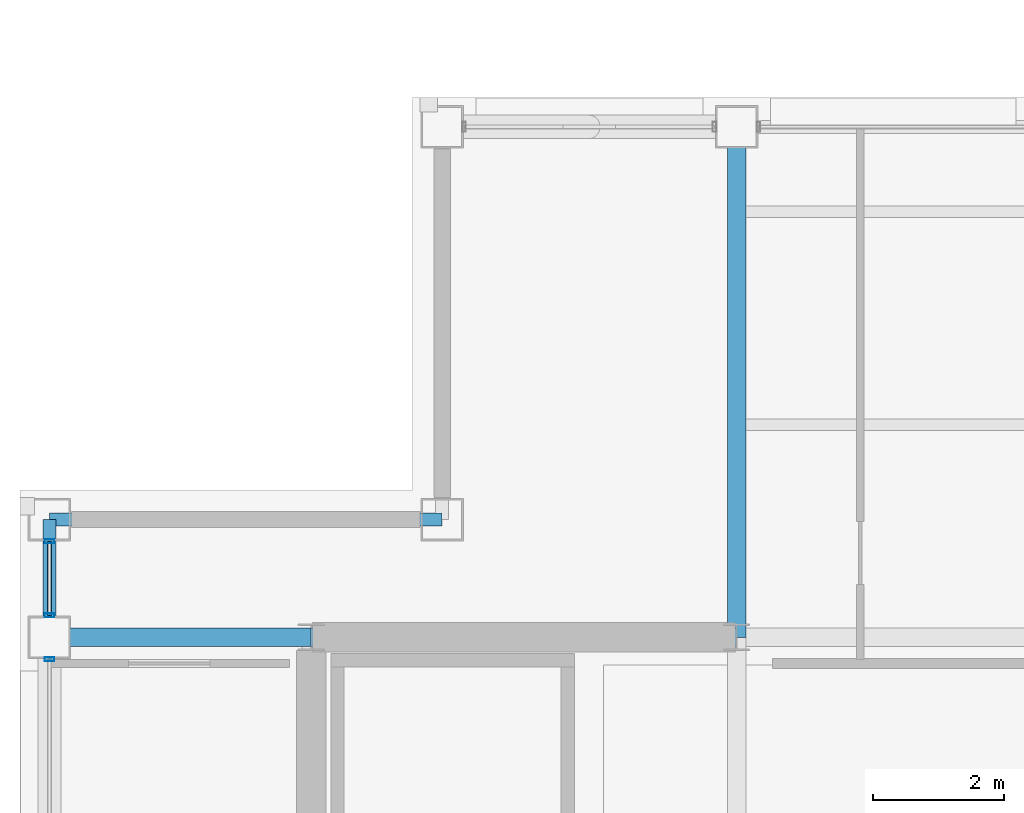
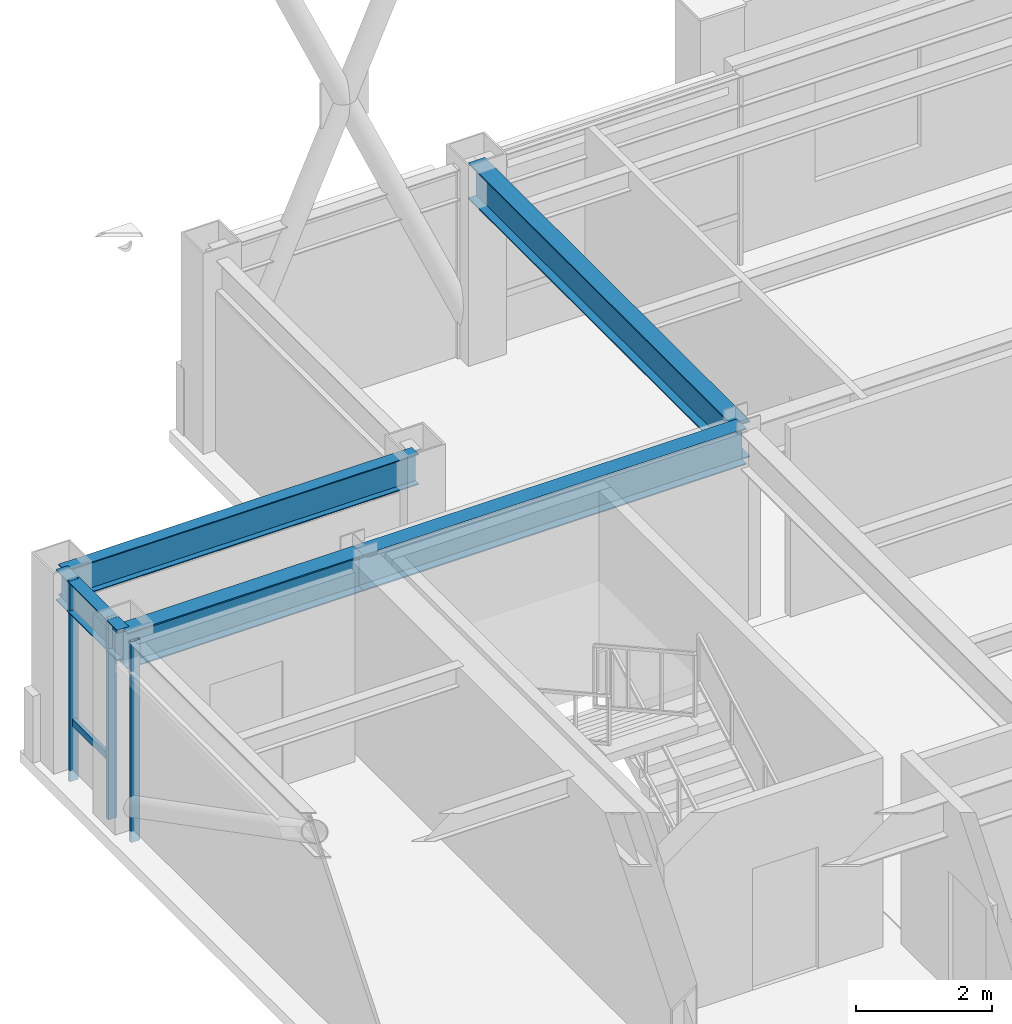
# One storey, part 12 of 28: 5 beams, 4 members, 2 elements without a shape of their own.
"""IFC4 building model written with IfcOpenShell, lengths in metres."""

from ifc_helpers import new_model, si_unit, direction, frame, origin, origin_2d, place, context, subcontext, project, spatial, hollow_rectangle, i_section, extrude, material, layer, layer_set, material_profile, profile_set, type_object, element, aggregate, save


model = new_model("IFC4")

# Units and contexts
model_context = context("Model", 3, precision=1e-05, world=origin(), true_north=direction((0.0, 1.0)))
body_context = subcontext(model_context, "Body", "Model", "MODEL_VIEW")
ifc_project = project(units=[si_unit("LENGTHUNIT", "METRE"), si_unit("AREAUNIT", "SQUARE_METRE"), si_unit("VOLUMEUNIT", "CUBIC_METRE"), si_unit("PLANEANGLEUNIT", "RADIAN"), si_unit("MASSUNIT", "GRAM", prefix="KILO")], contexts=[model_context])

# Site, building, storey
site_placement = place(None, origin())
site = spatial("IfcSite", under=ifc_project, at=site_placement, CompositionType="ELEMENT")
building_placement = place(site_placement, origin())
building = spatial("IfcBuilding", under=site, at=building_placement, Name="Brelmoor Portico Tower", CompositionType="ELEMENT")
storey_placement = place(building_placement, frame((0.0, 0.0, 225.60009765625)))
storey = spatial("IfcBuildingStorey", under=building, at=storey_placement, Name="L59", CompositionType="ELEMENT", Elevation=225.60009765625)

# Beams
ifc_material_1 = material(Name="Steel Q355B", Category="steel")
ifc_material_profile_1 = material_profile(ifc_material_1, i_section(OverallWidth=0.280029296875, OverallDepth=0.64990234375, WebThickness=0.012939453125, FlangeThickness=0.02197265625, at=origin_2d()), Name="HN 650x280x13x22")
ifc_profile_set_1 = profile_set([ifc_material_profile_1], Name="Steel Q355B")
beam_type_1 = type_object("IfcBeamType", Name="BM-PG-650", PredefinedType="BEAM", material=ifc_profile_set_1)
beam_1_placement = place(storey_placement, frame((-8.050048828125, 9.75, 3.074951171875), z_axis=(0.0, 1.0, 0.0), x_axis=(-1.0, 0.0, 0.0)))
element("IfcBeam", 1, at=beam_1_placement, inside=storey, type_object=beam_type_1, Name="L59 Primary Floor Girder PG-05", PredefinedType="BEAM", context=body_context, shape_type="SweptSolid", body=[
    extrude(i_section(OverallWidth=0.280029296875, OverallDepth=0.64990234375, WebThickness=0.012939453125, FlangeThickness=0.02197265625, at=origin_2d()), origin(), (0.0, 0.0, 1.0), 7.800048828125),
])
beam_2_placement = place(storey_placement, frame((-18.550048828125, 9.75, 3.074951171875), z_axis=(1.0, 0.0, 0.0), x_axis=(0.0, 1.0, 0.0)))
element("IfcBeam", 2, at=beam_2_placement, inside=storey, type_object=beam_type_1, Name="L59 Primary Floor Girder PG-19", PredefinedType="BEAM", context=body_context, shape_type="SweptSolid", body=[
    extrude(i_section(OverallWidth=0.280029296875, OverallDepth=0.64990234375, WebThickness=0.012939453125, FlangeThickness=0.02197265625, at=origin_2d()), origin(), (0.0, 0.0, 1.0), 4.0),
])
beam_3_placement = place(storey_placement, frame((-14.550048828125, 9.75, 3.074951171875), z_axis=(1.0, 0.0, 0.0), x_axis=(0.0, 1.0, 0.0)))
element("IfcBeam", 3, at=beam_3_placement, inside=storey, type_object=beam_type_1, Name="L59 Primary Floor Girder PG-20", PredefinedType="BEAM", context=body_context, shape_type="SweptSolid", body=[
    extrude(i_section(OverallWidth=0.280029296875, OverallDepth=0.64990234375, WebThickness=0.012939453125, FlangeThickness=0.02197265625, at=origin_2d()), origin(), (0.0, 0.0, 1.0), 6.5),
])
ifc_material_profile_2 = material_profile(ifc_material_1, i_section(OverallWidth=0.199951171875, OverallDepth=0.550048828125, WebThickness=0.010009765625, FlangeThickness=0.01611328125, at=origin_2d()), Name="HN 550x200x10x16")
ifc_profile_set_2 = profile_set([ifc_material_profile_2], Name="Steel Q355B")
beam_type_2 = type_object("IfcBeamType", Name="BM-SP-550", PredefinedType="SPANDREL", material=ifc_profile_set_2)
beam_4_placement = place(storey_placement, frame((-18.550048828125, 11.550048828125, 3.125), z_axis=(1.0, 0.0, 0.0), x_axis=(0.0, 1.0, 0.0)))
element("IfcBeam", 4, at=beam_4_placement, inside=storey, type_object=beam_type_2, Name="L59 Perimeter Spandrel Beam SP-06", PredefinedType="SPANDREL", context=body_context, shape_type="SweptSolid", body=[
    extrude(i_section(OverallWidth=0.199951171875, OverallDepth=0.550048828125, WebThickness=0.010009765625, FlangeThickness=0.01611328125, at=origin_2d()), origin(), (0.0, 0.0, 1.0), 6.0),
])
beam_5_placement = place(storey_placement, frame((-18.550048828125, 9.75, 3.125), z_axis=(0.0, 1.0, 0.0), x_axis=(-1.0, 0.0, 0.0)))
element("IfcBeam", 5, at=beam_5_placement, inside=storey, type_object=beam_type_2, Name="L59 Perimeter Spandrel Beam SP-13", PredefinedType="SPANDREL", context=body_context, shape_type="SweptSolid", body=[
    extrude(i_section(OverallWidth=0.199951171875, OverallDepth=0.550048828125, WebThickness=0.010009765625, FlangeThickness=0.01611328125, at=origin_2d()), origin(), (0.0, 0.0, 1.0), 1.800048828125),
])

# Curtain wall, member
ifc_material_2 = material(Name="Anodised Aluminium Alloy 6063-T6", Category="aluminium")
ifc_layer_1 = layer(ifc_material_2, 0.179931640625)
ifc_layer_set_1 = layer_set([ifc_layer_1], Name="Anodised Aluminium Alloy 6063-T6")
curtain_wall_type_1 = type_object("IfcCurtainWallType", Name="CW-TOWER-Z4-XB", PredefinedType="NOTDEFINED", material=ifc_layer_set_1)
curtain_wall_1_placement = place(storey_placement, origin())
curtain_wall_1 = element("IfcCurtainWall", 6, at=curtain_wall_1_placement, inside=storey, type_object=curtain_wall_type_1, Name="L59 Curtain Wall CW-L59-03-2", PredefinedType="NOTDEFINED")
ifc_material_profile_3 = material_profile(ifc_material_2, hollow_rectangle(XDim=0.06005859375, YDim=0.14990234375, WallThickness=0.00390625, at=origin_2d()), Name="ALU MULLION 60x150")
ifc_profile_set_3 = profile_set([ifc_material_profile_3], Name="Anodised Aluminium Alloy 6063-T6")
member_type_1 = type_object("IfcMemberType", Name="MB-CW-MULL-150", PredefinedType="MULLION", material=ifc_profile_set_3)
member_1_placement = place(storey_placement, frame((-18.550048828125, 9.4150390625, -0.2001953125), z_axis=(0.0, 0.0, 1.0), x_axis=(0.0, 1.0, 0.0)))
member_1 = element("IfcMember", 7, at=member_1_placement, type_object=member_type_1, Name="CW-L59-03-2 Mullion 02", PredefinedType="MULLION", context=body_context, shape_type="SweptSolid", body=[
    extrude(hollow_rectangle(XDim=0.06005859375, YDim=0.14990234375, WallThickness=0.00390625, at=origin_2d()), origin(), (0.0, 0.0, 1.0), 3.60009765625),
])
aggregate(curtain_wall_1, [member_1])

# Curtain wall, members
ifc_layer_2 = layer(ifc_material_2, 0.179931640625)
ifc_layer_set_2 = layer_set([ifc_layer_2], Name="Anodised Aluminium Alloy 6063-T6")
curtain_wall_type_2 = type_object("IfcCurtainWallType", Name="CW-TOWER-Z4", PredefinedType="NOTDEFINED", material=ifc_layer_set_2)
curtain_wall_2_placement = place(storey_placement, origin())
curtain_wall_2 = element("IfcCurtainWall", 8, at=curtain_wall_2_placement, inside=storey, type_object=curtain_wall_type_2, Name="L59 Curtain Wall CW-L59-03-3", PredefinedType="NOTDEFINED")
member_2_placement = place(storey_placement, frame((-18.550048828125, 10.0849609375, -0.2001953125), z_axis=(0.0, 0.0, 1.0), x_axis=(0.0, 1.0, 0.0)))
member_2 = element("IfcMember", 9, at=member_2_placement, type_object=member_type_1, Name="CW-L59-03-3 Mullion 00", PredefinedType="MULLION", context=body_context, shape_type="SweptSolid", body=[
    extrude(hollow_rectangle(XDim=0.06005859375, YDim=0.14990234375, WallThickness=0.00390625, at=origin_2d()), origin(), (0.0, 0.0, 1.0), 3.60009765625),
])
member_3_placement = place(storey_placement, frame((-18.550048828125, 11.215087890625, -0.2001953125), z_axis=(0.0, 0.0, 1.0), x_axis=(0.0, 1.0, 0.0)))
member_3 = element("IfcMember", 10, at=member_3_placement, type_object=member_type_1, Name="CW-L59-03-3 Mullion 01", PredefinedType="MULLION", context=body_context, shape_type="SweptSolid", body=[
    extrude(hollow_rectangle(XDim=0.06005859375, YDim=0.14990234375, WallThickness=0.00390625, at=origin_2d()), origin(), (0.0, 0.0, 1.0), 3.60009765625),
])
ifc_material_profile_4 = material_profile(ifc_material_2, hollow_rectangle(XDim=0.06005859375, YDim=0.125, WallThickness=0.00341796875, at=origin_2d()), Name="ALU TRANSOM 60x125")
ifc_profile_set_4 = profile_set([ifc_material_profile_4], Name="Anodised Aluminium Alloy 6063-T6")
member_type_2 = type_object("IfcMemberType", Name="MB-CW-TRAN-125", PredefinedType="USERDEFINED", material=ifc_profile_set_4)
member_4_placement = place(storey_placement, frame((-18.550048828125, 10.0849609375, 0.849853515625), z_axis=(0.0, 1.0, 0.0), x_axis=(-1.0, 0.0, 0.0)))
member_4 = element("IfcMember", 11, at=member_4_placement, type_object=member_type_2, Name="CW-L59-03-3 Transom 1-00", ObjectType="TRANSOM", PredefinedType="USERDEFINED", context=body_context, shape_type="SweptSolid", body=[
    extrude(hollow_rectangle(XDim=0.06005859375, YDim=0.125, WallThickness=0.00341796875, at=origin_2d()), origin(), (0.0, 0.0, 1.0), 1.130126953125),
])
aggregate(curtain_wall_2, [member_2, member_3, member_4])

save(model, "model.ifc")
